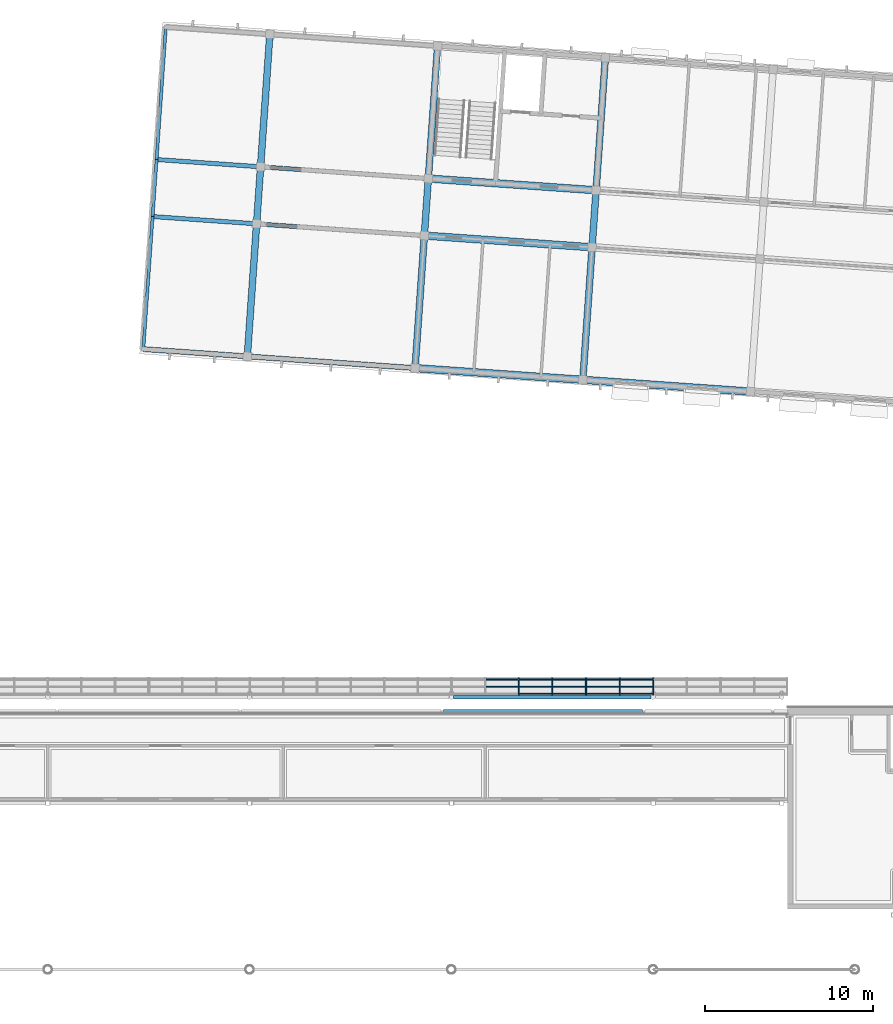
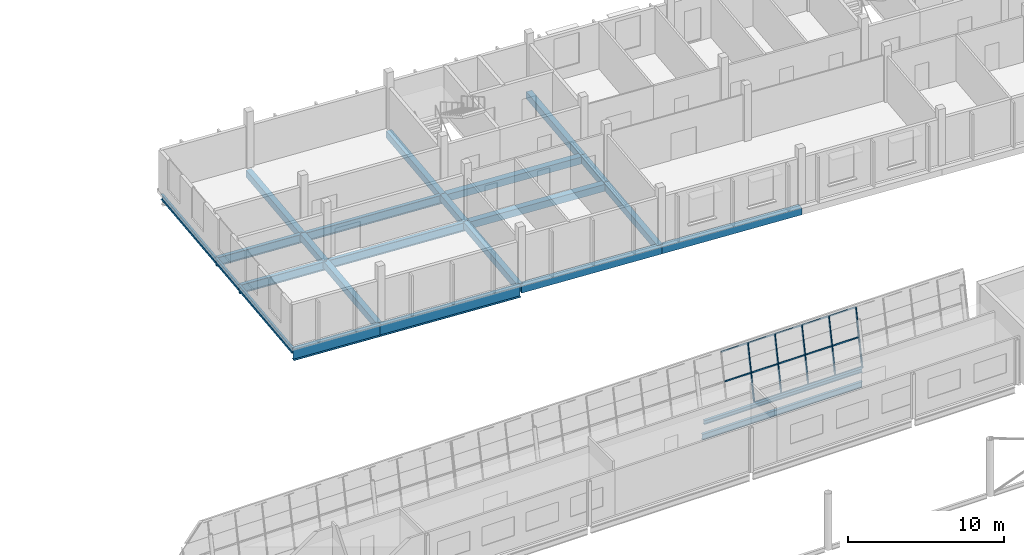
# One storey, part 29 of 95: 24 beams, 19 members, 1 element without a shape of its own.
"""IFC4 building model written with IfcOpenShell, lengths in metres."""

from ifc_helpers import new_model, si_unit, direction, frame, origin, origin_2d, place, context, subcontext, project, spatial, rectangle, i_section, extrude, material, layer, layer_set, material_profile, profile_set, type_object, element, aggregate, save


model = new_model("IFC4")

# Units and contexts
model_context = context("Model", 3, precision=1e-05, world=origin(), true_north=direction((0.0, 1.0)))
body_context = subcontext(model_context, "Body", "Model", "MODEL_VIEW")
ifc_project = project(units=[si_unit("LENGTHUNIT", "METRE"), si_unit("AREAUNIT", "SQUARE_METRE"), si_unit("VOLUMEUNIT", "CUBIC_METRE"), si_unit("PLANEANGLEUNIT", "RADIAN"), si_unit("MASSUNIT", "GRAM", prefix="KILO")], contexts=[model_context])

# Site, building, storey
site_placement = place(None, origin())
site = spatial("IfcSite", under=ifc_project, at=site_placement, CompositionType="ELEMENT")
building_placement = place(site_placement, origin())
building = spatial("IfcBuilding", under=site, at=building_placement, Name="Windward Yard Aquatics Centre", CompositionType="ELEMENT")
storey_placement = place(building_placement, frame((0.0, 0.0, 9.39990234375)))
storey = spatial("IfcBuildingStorey", under=building, at=storey_placement, Name="L02", CompositionType="ELEMENT", Elevation=9.39990234375)

# Curtain wall, members
ifc_material_1 = material(Name="Glass and aluminium curtain wall", Category="aluminium")
ifc_layer = layer(ifc_material_1, 0.179931640625)
ifc_layer_set = layer_set([ifc_layer], Name="H curtain wall tier 1 double glazed 8+16+8")
curtain_wall_type = type_object("IfcCurtainWallType", Name="H curtain wall tier 1 double glazed 8+16+8", PredefinedType="NOTDEFINED", material=ifc_layer_set)
curtain_wall_placement = place(storey_placement, origin())
curtain_wall = element("IfcCurtainWall", 1, at=curtain_wall_placement, inside=storey, type_object=curtain_wall_type, Name="Tier 1 glazing N L02", PredefinedType="NOTDEFINED")
ifc_material_2 = material(Name="Aluminium 6063-T6 anodised", Category="aluminium")
ifc_material_profile_1 = material_profile(ifc_material_2, rectangle(XDim=0.06494140625, YDim=0.179931640625, at=origin_2d()), Name="H CW mullion 65x180")
ifc_profile_set_1 = profile_set([ifc_material_profile_1], Name="Aluminium 6063-T6 anodised")
member_type_1 = type_object("IfcMemberType", Name="H CW mullion 65x180", PredefinedType="MULLION", material=ifc_profile_set_1)
member_1_placement = place(storey_placement, frame((124.002197265625, 96.803466796875, 0.0), z_axis=(0.0, 0.199322032497, 0.979934042352), x_axis=(-1.0, 0.0, 0.0)))
member_1 = element("IfcMember", 2, at=member_1_placement, type_object=member_type_1, Name="G1NB mullion 12", PredefinedType="MULLION", context=body_context, shape_type="SweptSolid", body=[
    extrude(rectangle(XDim=0.06494140625, YDim=0.179931640625, at=origin_2d()), origin(), (0.0, 0.0, 1.0), 4.31884765625),
])
member_2_placement = place(storey_placement, frame((126.001953125, 96.803466796875, 0.0), z_axis=(0.0, 0.199322032497, 0.979934042352), x_axis=(-1.0, 0.0, 0.0)))
member_2 = element("IfcMember", 3, at=member_2_placement, type_object=member_type_1, Name="G1NB mullion 13", PredefinedType="MULLION", context=body_context, shape_type="SweptSolid", body=[
    extrude(rectangle(XDim=0.06494140625, YDim=0.179931640625, at=origin_2d()), origin(), (0.0, 0.0, 1.0), 4.31884765625),
])
member_3_placement = place(storey_placement, frame((128.00146484375, 96.803466796875, 0.0), z_axis=(0.0, 0.199322032497, 0.979934042352), x_axis=(-1.0, 0.0, 0.0)))
member_3 = element("IfcMember", 4, at=member_3_placement, type_object=member_type_1, Name="G1NB mullion 14", PredefinedType="MULLION", context=body_context, shape_type="SweptSolid", body=[
    extrude(rectangle(XDim=0.06494140625, YDim=0.179931640625, at=origin_2d()), origin(), (0.0, 0.0, 1.0), 4.31884765625),
])
member_4_placement = place(storey_placement, frame((130.001220703125, 96.803466796875, 0.0), z_axis=(0.0, 0.199322032497, 0.979934042352), x_axis=(-1.0, 0.0, 0.0)))
member_4 = element("IfcMember", 5, at=member_4_placement, type_object=member_type_1, Name="G1NB mullion 15", PredefinedType="MULLION", context=body_context, shape_type="SweptSolid", body=[
    extrude(rectangle(XDim=0.06494140625, YDim=0.179931640625, at=origin_2d()), origin(), (0.0, 0.0, 1.0), 4.31884765625),
])
member_5_placement = place(storey_placement, frame((132.0009765625, 96.803466796875, 0.0), z_axis=(0.0, 0.199322032497, 0.979934042352), x_axis=(-1.0, 0.0, 0.0)))
member_5 = element("IfcMember", 6, at=member_5_placement, type_object=member_type_1, Name="G1NB mullion 16", PredefinedType="MULLION", context=body_context, shape_type="SweptSolid", body=[
    extrude(rectangle(XDim=0.06494140625, YDim=0.179931640625, at=origin_2d()), origin(), (0.0, 0.0, 1.0), 4.31884765625),
])
ifc_material_profile_2 = material_profile(ifc_material_2, rectangle(XDim=0.06494140625, YDim=0.10009765625, at=origin_2d()), Name="H CW transom 65x100")
ifc_profile_set_2 = profile_set([ifc_material_profile_2], Name="Aluminium 6063-T6 anodised")
member_type_2 = type_object("IfcMemberType", Name="H CW transom 65x100", PredefinedType="USERDEFINED", material=ifc_profile_set_2)
member_6_placement = place(storey_placement, frame((122.034912109375, 97.235595703125, 2.125), z_axis=(1.0, 0.0, 0.0), x_axis=(0.0, -0.9799247046, 0.19936793452)))
member_6 = element("IfcMember", 7, at=member_6_placement, type_object=member_type_2, Name="G1NB transom 11.2", ObjectType="TRANSOM", PredefinedType="USERDEFINED", context=body_context, shape_type="SweptSolid", body=[
    extrude(rectangle(XDim=0.06494140625, YDim=0.10009765625, at=origin_2d()), origin(), (0.0, 0.0, 1.0), 1.934814453125),
])
member_7_placement = place(storey_placement, frame((122.034912109375, 97.65673828125, 4.194580078125), z_axis=(1.0, 0.0, 0.0), x_axis=(0.0, -0.9799247046, 0.19936793452)))
member_7 = element("IfcMember", 8, at=member_7_placement, type_object=member_type_2, Name="G1NB transom 11.3", ObjectType="TRANSOM", PredefinedType="USERDEFINED", context=body_context, shape_type="SweptSolid", body=[
    extrude(rectangle(XDim=0.06494140625, YDim=0.10009765625, at=origin_2d()), origin(), (0.0, 0.0, 1.0), 1.934814453125),
])
member_8_placement = place(storey_placement, frame((124.03466796875, 96.813232421875, 0.049072265625), z_axis=(1.0, 0.0, 0.0), x_axis=(0.0, -0.9799247046, 0.19936793452)))
member_8 = element("IfcMember", 9, at=member_8_placement, type_object=member_type_2, Name="G1NB transom 12.1", ObjectType="TRANSOM", PredefinedType="USERDEFINED", context=body_context, shape_type="SweptSolid", body=[
    extrude(rectangle(XDim=0.06494140625, YDim=0.10009765625, at=origin_2d()), origin(), (0.0, 0.0, 1.0), 1.9345703125),
])
member_9_placement = place(storey_placement, frame((124.03466796875, 97.235595703125, 2.125), z_axis=(1.0, 0.0, 0.0), x_axis=(0.0, -0.9799247046, 0.19936793452)))
member_9 = element("IfcMember", 10, at=member_9_placement, type_object=member_type_2, Name="G1NB transom 12.2", ObjectType="TRANSOM", PredefinedType="USERDEFINED", context=body_context, shape_type="SweptSolid", body=[
    extrude(rectangle(XDim=0.06494140625, YDim=0.10009765625, at=origin_2d()), origin(), (0.0, 0.0, 1.0), 1.9345703125),
])
member_10_placement = place(storey_placement, frame((124.03466796875, 97.65673828125, 4.194580078125), z_axis=(1.0, 0.0, 0.0), x_axis=(0.0, -0.9799247046, 0.19936793452)))
member_10 = element("IfcMember", 11, at=member_10_placement, type_object=member_type_2, Name="G1NB transom 12.3", ObjectType="TRANSOM", PredefinedType="USERDEFINED", context=body_context, shape_type="SweptSolid", body=[
    extrude(rectangle(XDim=0.06494140625, YDim=0.10009765625, at=origin_2d()), origin(), (0.0, 0.0, 1.0), 1.9345703125),
])
member_11_placement = place(storey_placement, frame((126.034423828125, 96.813232421875, 0.049072265625), z_axis=(1.0, 0.0, 0.0), x_axis=(0.0, -0.9799247046, 0.19936793452)))
member_11 = element("IfcMember", 12, at=member_11_placement, type_object=member_type_2, Name="G1NB transom 13.1", ObjectType="TRANSOM", PredefinedType="USERDEFINED", context=body_context, shape_type="SweptSolid", body=[
    extrude(rectangle(XDim=0.06494140625, YDim=0.10009765625, at=origin_2d()), origin(), (0.0, 0.0, 1.0), 1.9345703125),
])
member_12_placement = place(storey_placement, frame((126.034423828125, 97.235595703125, 2.125), z_axis=(1.0, 0.0, 0.0), x_axis=(0.0, -0.9799247046, 0.19936793452)))
member_12 = element("IfcMember", 13, at=member_12_placement, type_object=member_type_2, Name="G1NB transom 13.2", ObjectType="TRANSOM", PredefinedType="USERDEFINED", context=body_context, shape_type="SweptSolid", body=[
    extrude(rectangle(XDim=0.06494140625, YDim=0.10009765625, at=origin_2d()), origin(), (0.0, 0.0, 1.0), 1.9345703125),
])
member_13_placement = place(storey_placement, frame((126.034423828125, 97.65673828125, 4.194580078125), z_axis=(1.0, 0.0, 0.0), x_axis=(0.0, -0.9799247046, 0.19936793452)))
member_13 = element("IfcMember", 14, at=member_13_placement, type_object=member_type_2, Name="G1NB transom 13.3", ObjectType="TRANSOM", PredefinedType="USERDEFINED", context=body_context, shape_type="SweptSolid", body=[
    extrude(rectangle(XDim=0.06494140625, YDim=0.10009765625, at=origin_2d()), origin(), (0.0, 0.0, 1.0), 1.9345703125),
])
member_14_placement = place(storey_placement, frame((128.0341796875, 96.813232421875, 0.049072265625), z_axis=(1.0, 0.0, 0.0), x_axis=(0.0, -0.9799247046, 0.19936793452)))
member_14 = element("IfcMember", 15, at=member_14_placement, type_object=member_type_2, Name="G1NB transom 14.1", ObjectType="TRANSOM", PredefinedType="USERDEFINED", context=body_context, shape_type="SweptSolid", body=[
    extrude(rectangle(XDim=0.06494140625, YDim=0.10009765625, at=origin_2d()), origin(), (0.0, 0.0, 1.0), 1.9345703125),
])
member_15_placement = place(storey_placement, frame((128.0341796875, 97.235595703125, 2.125), z_axis=(1.0, 0.0, 0.0), x_axis=(0.0, -0.9799247046, 0.19936793452)))
member_15 = element("IfcMember", 16, at=member_15_placement, type_object=member_type_2, Name="G1NB transom 14.2", ObjectType="TRANSOM", PredefinedType="USERDEFINED", context=body_context, shape_type="SweptSolid", body=[
    extrude(rectangle(XDim=0.06494140625, YDim=0.10009765625, at=origin_2d()), origin(), (0.0, 0.0, 1.0), 1.9345703125),
])
member_16_placement = place(storey_placement, frame((128.0341796875, 97.65673828125, 4.194580078125), z_axis=(1.0, 0.0, 0.0), x_axis=(0.0, -0.9799247046, 0.19936793452)))
member_16 = element("IfcMember", 17, at=member_16_placement, type_object=member_type_2, Name="G1NB transom 14.3", ObjectType="TRANSOM", PredefinedType="USERDEFINED", context=body_context, shape_type="SweptSolid", body=[
    extrude(rectangle(XDim=0.06494140625, YDim=0.10009765625, at=origin_2d()), origin(), (0.0, 0.0, 1.0), 1.9345703125),
])
member_17_placement = place(storey_placement, frame((130.033935546875, 96.813232421875, 0.049072265625), z_axis=(1.0, 0.0, 0.0), x_axis=(0.0, -0.9799247046, 0.19936793452)))
member_17 = element("IfcMember", 18, at=member_17_placement, type_object=member_type_2, Name="G1NB transom 15.1", ObjectType="TRANSOM", PredefinedType="USERDEFINED", context=body_context, shape_type="SweptSolid", body=[
    extrude(rectangle(XDim=0.06494140625, YDim=0.10009765625, at=origin_2d()), origin(), (0.0, 0.0, 1.0), 1.9345703125),
])
member_18_placement = place(storey_placement, frame((130.033935546875, 97.235595703125, 2.125), z_axis=(1.0, 0.0, 0.0), x_axis=(0.0, -0.9799247046, 0.19936793452)))
member_18 = element("IfcMember", 19, at=member_18_placement, type_object=member_type_2, Name="G1NB transom 15.2", ObjectType="TRANSOM", PredefinedType="USERDEFINED", context=body_context, shape_type="SweptSolid", body=[
    extrude(rectangle(XDim=0.06494140625, YDim=0.10009765625, at=origin_2d()), origin(), (0.0, 0.0, 1.0), 1.9345703125),
])
member_19_placement = place(storey_placement, frame((130.033935546875, 97.65673828125, 4.194580078125), z_axis=(1.0, 0.0, 0.0), x_axis=(0.0, -0.9799247046, 0.19936793452)))
member_19 = element("IfcMember", 20, at=member_19_placement, type_object=member_type_2, Name="G1NB transom 15.3", ObjectType="TRANSOM", PredefinedType="USERDEFINED", context=body_context, shape_type="SweptSolid", body=[
    extrude(rectangle(XDim=0.06494140625, YDim=0.10009765625, at=origin_2d()), origin(), (0.0, 0.0, 1.0), 1.9345703125),
])
aggregate(curtain_wall, [member_1, member_2, member_3, member_4, member_5, member_6, member_7, member_8, member_9, member_10, member_11, member_12, member_13, member_14, member_15, member_16, member_17, member_18, member_19])

# Beams
ifc_material_3 = material(Name="Steel ASTM A992 Gr 50", Category="steel")
ifc_material_profile_3 = material_profile(ifc_material_3, i_section(OverallWidth=0.19091796875, OverallDepth=0.45703125, WebThickness=0.009033203125, FlangeThickness=0.014404296875, at=origin_2d()), Name="W460X74")
ifc_profile_set_3 = profile_set([ifc_material_profile_3], Name="Steel ASTM A992 Gr 50")
beam_type_1 = type_object("IfcBeamType", Name="H gallery edge beam W460X74", PredefinedType="BEAM", material=ifc_profile_set_3)
beam_1_placement = place(storey_placement, frame((119.526123046875, 95.77490234375, -0.428466796875), z_axis=(1.0, 0.0, 0.0), x_axis=(0.0, 1.0, 0.0)))
element("IfcBeam", 21, at=beam_1_placement, inside=storey, type_object=beam_type_1, Name="H.GB.N.O7", PredefinedType="BEAM", context=body_context, shape_type="SweptSolid", body=[
    extrude(i_section(OverallWidth=0.19091796875, OverallDepth=0.45703125, WebThickness=0.009033203125, FlangeThickness=0.014404296875, at=origin_2d()), origin(), (0.0, 0.0, 1.0), 11.84765625),
])
ifc_material_profile_4 = material_profile(ifc_material_3, i_section(OverallWidth=0.202880859375, OverallDepth=0.302001953125, WebThickness=0.007568359375, FlangeThickness=0.01318359375, at=origin_2d()), Name="W310X60")
ifc_profile_set_4 = profile_set([ifc_material_profile_4], Name="Steel ASTM A992 Gr 50")
beam_type_2 = type_object("IfcBeamType", Name="H tier ring beam W310X60", PredefinedType="BEAM", material=ifc_profile_set_4)
beam_2_placement = place(storey_placement, frame((120.136474609375, 96.59521484375, 0.0), z_axis=(1.0, 0.0, 0.0), x_axis=(0.0, 1.0, 0.0)))
element("IfcBeam", 22, at=beam_2_placement, inside=storey, type_object=beam_type_2, Name="H.RG.N6.1", PredefinedType="BEAM", context=body_context, shape_type="SweptSolid", body=[
    extrude(i_section(OverallWidth=0.202880859375, OverallDepth=0.302001953125, WebThickness=0.007568359375, FlangeThickness=0.01318359375, at=origin_2d()), origin(), (0.0, 0.0, 1.0), 11.72705078125),
])
ifc_material_4 = material(Name="Concrete C40/50", Category="concrete")
ifc_material_profile_5 = material_profile(ifc_material_4, rectangle(XDim=0.39990234375, YDim=0.550048828125, at=origin_2d()), Name="RC 400x550")
ifc_profile_set_5 = profile_set([ifc_material_profile_5], Name="Concrete C40/50")
beam_type_3 = type_object("IfcBeamType", Name="W RC 400x550 beam Concrete C40/50", PredefinedType="BEAM", material=ifc_profile_set_5)
beam_3_placement = place(storey_placement, frame((107.86328125, 116.864990234375, -0.554931640625), z_axis=(0.0697491702, 0.997564560947, 0.0), x_axis=(-0.997564560947, 0.0697491702, 0.0)))
element("IfcBeam", 23, at=beam_3_placement, inside=storey, type_object=beam_type_3, Name="W.BV.L02.1.A", PredefinedType="BEAM", context=body_context, shape_type="SweptSolid", body=[
    extrude(rectangle(XDim=0.39990234375, YDim=0.550048828125, at=origin_2d()), origin(), (0.0, 0.0, 1.0), 7.900146484375),
])
beam_4_placement = place(storey_placement, frame((108.414306640625, 124.745849609375, -0.554931640625), z_axis=(0.069792686595, 0.99756151735, 0.0), x_axis=(-0.99756151735, 0.069792686595, 0.0)))
element("IfcBeam", 24, at=beam_4_placement, inside=storey, type_object=beam_type_3, Name="W.BV.L02.1.B", PredefinedType="BEAM", context=body_context, shape_type="SweptSolid", body=[
    extrude(rectangle(XDim=0.39990234375, YDim=0.550048828125, at=origin_2d()), origin(), (0.0, 0.0, 1.0), 3.400146484375),
])
beam_5_placement = place(storey_placement, frame((108.651611328125, 128.1376953125, -0.554931640625), z_axis=(0.069720566328, 0.997566560502, 0.0), x_axis=(-0.997566560502, 0.069720566328, 0.0)))
element("IfcBeam", 25, at=beam_5_placement, inside=storey, type_object=beam_type_3, Name="W.BV.L02.1.C", PredefinedType="BEAM", context=body_context, shape_type="SweptSolid", body=[
    extrude(rectangle(XDim=0.39990234375, YDim=0.550048828125, at=origin_2d()), origin(), (0.0, 0.0, 1.0), 7.89990234375),
])
beam_6_placement = place(storey_placement, frame((117.8388671875, 116.16748046875, -0.554931640625), z_axis=(0.0697491702, 0.997564560947, 0.0), x_axis=(-0.997564560947, 0.0697491702, 0.0)))
element("IfcBeam", 26, at=beam_6_placement, inside=storey, type_object=beam_type_3, Name="W.BV.L02.2.A", PredefinedType="BEAM", context=body_context, shape_type="SweptSolid", body=[
    extrude(rectangle(XDim=0.39990234375, YDim=0.550048828125, at=origin_2d()), origin(), (0.0, 0.0, 1.0), 7.900146484375),
])
beam_7_placement = place(storey_placement, frame((118.389892578125, 124.04833984375, -0.554931640625), z_axis=(0.069797686069, 0.997561167558, 0.0), x_axis=(-0.997561167558, 0.069797686069, 0.0)))
element("IfcBeam", 27, at=beam_7_placement, inside=storey, type_object=beam_type_3, Name="W.BV.L02.2.B", PredefinedType="BEAM", context=body_context, shape_type="SweptSolid", body=[
    extrude(rectangle(XDim=0.39990234375, YDim=0.550048828125, at=origin_2d()), origin(), (0.0, 0.0, 1.0), 3.39990234375),
])
beam_8_placement = place(storey_placement, frame((118.627197265625, 127.43994140625, -0.554931640625), z_axis=(0.0697491702, 0.997564560947, 0.0), x_axis=(-0.997564560947, 0.0697491702, 0.0)))
element("IfcBeam", 28, at=beam_8_placement, inside=storey, type_object=beam_type_3, Name="W.BV.L02.2.C", PredefinedType="BEAM", context=body_context, shape_type="SweptSolid", body=[
    extrude(rectangle(XDim=0.39990234375, YDim=0.550048828125, at=origin_2d()), origin(), (0.0, 0.0, 1.0), 7.900146484375),
])
beam_9_placement = place(storey_placement, frame((127.814453125, 115.469970703125, -0.554931640625), z_axis=(0.069751320509, 0.997564410596, 0.0), x_axis=(-0.997564410596, 0.069751320509, 0.0)))
element("IfcBeam", 29, at=beam_9_placement, inside=storey, type_object=beam_type_3, Name="W.BV.L02.3.A", PredefinedType="BEAM", context=body_context, shape_type="SweptSolid", body=[
    extrude(rectangle(XDim=0.39990234375, YDim=0.550048828125, at=origin_2d()), origin(), (0.0, 0.0, 1.0), 7.89990234375),
])
beam_10_placement = place(storey_placement, frame((128.365478515625, 123.3505859375, -0.554931640625), z_axis=(0.069792686595, 0.99756151735, 0.0), x_axis=(-0.99756151735, 0.069792686595, 0.0)))
element("IfcBeam", 30, at=beam_10_placement, inside=storey, type_object=beam_type_3, Name="W.BV.L02.3.B", PredefinedType="BEAM", context=body_context, shape_type="SweptSolid", body=[
    extrude(rectangle(XDim=0.39990234375, YDim=0.550048828125, at=origin_2d()), origin(), (0.0, 0.0, 1.0), 3.400146484375),
])
beam_11_placement = place(storey_placement, frame((128.602783203125, 126.742431640625, -0.554931640625), z_axis=(0.0697491702, 0.997564560947, 0.0), x_axis=(-0.997564560947, 0.0697491702, 0.0)))
element("IfcBeam", 31, at=beam_11_placement, inside=storey, type_object=beam_type_3, Name="W.BV.L02.3.C", PredefinedType="BEAM", context=body_context, shape_type="SweptSolid", body=[
    extrude(rectangle(XDim=0.39990234375, YDim=0.550048828125, at=origin_2d()), origin(), (0.0, 0.0, 1.0), 7.900146484375),
])
ifc_material_profile_6 = material_profile(ifc_material_4, rectangle(XDim=0.449951171875, YDim=0.550048828125, at=origin_2d()), Name="RC 450x550")
ifc_profile_set_6 = profile_set([ifc_material_profile_6], Name="Concrete C40/50")
beam_type_4 = type_object("IfcBeamType", Name="W RC 450x550 beam Concrete C40/50", PredefinedType="BEAM", material=ifc_profile_set_6)
for number, where, z_axis, x_axis, name in (
    (32, (117.8388671875, 116.16748046875, -0.554931640625), (0.997564406228, -0.069751382981, 0.0), (0.069751382981, 0.997564406228, 0.0), "W.BU.L02.1.2"),
    (33, (127.814453125, 115.469970703125, -0.554931640625), (0.997564406228, -0.069751382981, 0.0), (0.069751382981, 0.997564406228, 0.0), "W.BU.L02.1.3"),
    (34, (118.389892578125, 124.04833984375, -0.554931640625), (0.997562707158, -0.069775678342, 0.0), (0.069775678342, 0.997562707158, 0.0), "W.BU.L02.2.2"),
    (35, (118.627197265625, 127.43994140625, -0.554931640625), (0.997564406228, -0.069751382981, 0.0), (0.069751382981, 0.997564406228, 0.0), "W.BU.L02.3.2"),
):
    element("IfcBeam", number, at=place(storey_placement, frame(where, z_axis=z_axis, x_axis=x_axis)), inside=storey, type_object=beam_type_4, Name=name, PredefinedType="BEAM", context=body_context, shape_type="SweptSolid", body=[
        extrude(rectangle(XDim=0.449951171875, YDim=0.550048828125, at=origin_2d()), origin(), (0.0, 0.0, 1.0), 10.0),
    ])
ifc_material_5 = material(Name="Steel S355", Category="steel")
ifc_material_profile_7 = material_profile(ifc_material_5, i_section(OverallWidth=0.180908203125, OverallDepth=0.4169921875, WebThickness=0.010986328125, FlangeThickness=0.018310546875, at=origin_2d()), Name="W410x85")
ifc_profile_set_7 = profile_set([ifc_material_profile_7], Name="Steel S355")
beam_type_5 = type_object("IfcBeamType", Name="W W410x85 beam", PredefinedType="BEAM", material=ifc_profile_set_7)
beam_12_placement = place(storey_placement, frame((101.67822265625, 117.297607421875, -0.48828125), z_axis=(0.069782074492, 0.997562259751, 0.0), x_axis=(-0.997562259751, 0.069782074492, 0.0)))
element("IfcBeam", 36, at=beam_12_placement, inside=storey, type_object=beam_type_5, Name="W.BT.L02.A", PredefinedType="BEAM", context=body_context, shape_type="SweptSolid", body=[
    extrude(i_section(OverallWidth=0.180908203125, OverallDepth=0.4169921875, WebThickness=0.010986328125, FlangeThickness=0.018310546875, at=origin_2d()), origin(), (0.0, 0.0, 1.0), 7.89990234375),
])
beam_13_placement = place(storey_placement, frame((102.2294921875, 125.17822265625, -0.48828125), z_axis=(0.069721232637, 0.997566513933, 0.0), x_axis=(-0.997566513933, 0.069721232637, 0.0)))
element("IfcBeam", 37, at=beam_13_placement, inside=storey, type_object=beam_type_5, Name="W.BT.L02.B", PredefinedType="BEAM", context=body_context, shape_type="SweptSolid", body=[
    extrude(i_section(OverallWidth=0.180908203125, OverallDepth=0.4169921875, WebThickness=0.010986328125, FlangeThickness=0.018310546875, at=origin_2d()), origin(), (0.0, 0.0, 1.0), 3.400146484375),
])
beam_14_placement = place(storey_placement, frame((102.466552734375, 128.570068359375, -0.48828125), z_axis=(0.069751320509, 0.997564410596, 0.0), x_axis=(-0.997564410596, 0.069751320509, 0.0)))
element("IfcBeam", 38, at=beam_14_placement, inside=storey, type_object=beam_type_5, Name="W.BT.L02.C", PredefinedType="BEAM", context=body_context, shape_type="SweptSolid", body=[
    extrude(i_section(OverallWidth=0.180908203125, OverallDepth=0.4169921875, WebThickness=0.010986328125, FlangeThickness=0.018310546875, at=origin_2d()), origin(), (0.0, 0.0, 1.0), 7.89990234375),
])
ifc_material_profile_8 = material_profile(ifc_material_5, i_section(OverallWidth=0.25390625, OverallDepth=0.677978515625, WebThickness=0.01171875, FlangeThickness=0.016357421875, at=origin_2d()), Name="W690x125")
ifc_profile_set_8 = profile_set([ifc_material_profile_8], Name="Steel S355")
beam_type_6 = type_object("IfcBeamType", Name="W W690x125 beam", PredefinedType="BEAM", material=ifc_profile_set_8)
beam_15_placement = place(storey_placement, frame((102.2294921875, 125.17822265625, -0.618896484375), z_axis=(0.997565299424, -0.069738607559, 0.0), x_axis=(0.069738607559, 0.997565299424, 0.0)))
element("IfcBeam", 39, at=beam_15_placement, inside=storey, type_object=beam_type_6, Name="W.BC.L02.2", PredefinedType="BEAM", context=body_context, shape_type="SweptSolid", body=[
    extrude(i_section(OverallWidth=0.25390625, OverallDepth=0.677978515625, WebThickness=0.01171875, FlangeThickness=0.016357421875, at=origin_2d()), origin(), (0.0, 0.0, 1.0), 6.199951171875),
])
beam_16_placement = place(storey_placement, frame((108.414306640625, 124.745849609375, -0.618896484375), z_axis=(0.997564406228, -0.069751382981, 0.0), x_axis=(0.069751382981, 0.997564406228, 0.0)))
element("IfcBeam", 40, at=beam_16_placement, inside=storey, type_object=beam_type_6, Name="W.BB.L02.2", PredefinedType="BEAM", context=body_context, shape_type="SweptSolid", body=[
    extrude(i_section(OverallWidth=0.25390625, OverallDepth=0.677978515625, WebThickness=0.01171875, FlangeThickness=0.016357421875, at=origin_2d()), origin(), (0.0, 0.0, 1.0), 10.0),
])
beam_17_placement = place(storey_placement, frame((102.466552734375, 128.570068359375, -0.618896484375), z_axis=(0.997565490927, -0.069735868178, 0.0), x_axis=(0.069735868178, 0.997565490927, 0.0)))
element("IfcBeam", 41, at=beam_17_placement, inside=storey, type_object=beam_type_6, Name="W.BC.L02.3", PredefinedType="BEAM", context=body_context, shape_type="SweptSolid", body=[
    extrude(i_section(OverallWidth=0.25390625, OverallDepth=0.677978515625, WebThickness=0.01171875, FlangeThickness=0.016357421875, at=origin_2d()), origin(), (0.0, 0.0, 1.0), 6.2001953125),
])
beam_18_placement = place(storey_placement, frame((108.651611328125, 128.1376953125, -0.618896484375), z_axis=(0.997562707158, -0.069775678342, 0.0), x_axis=(0.069775678342, 0.997562707158, 0.0)))
element("IfcBeam", 42, at=beam_18_placement, inside=storey, type_object=beam_type_6, Name="W.BB.L02.3", PredefinedType="BEAM", context=body_context, shape_type="SweptSolid", body=[
    extrude(i_section(OverallWidth=0.25390625, OverallDepth=0.677978515625, WebThickness=0.01171875, FlangeThickness=0.016357421875, at=origin_2d()), origin(), (0.0, 0.0, 1.0), 10.0),
])
ifc_material_profile_9 = material_profile(ifc_material_5, i_section(OverallWidth=0.304931640625, OverallDepth=0.9140625, WebThickness=0.0166015625, FlangeThickness=0.02587890625, at=origin_2d()), Name="W920x238")
ifc_profile_set_9 = profile_set([ifc_material_profile_9], Name="Steel S355")
beam_type_7 = type_object("IfcBeamType", Name="W W920x238 beam", PredefinedType="BEAM", material=ifc_profile_set_9)
beam_19_placement = place(storey_placement, frame((101.67822265625, 117.297607421875, -0.73681640625), z_axis=(0.997562750893, -0.069775053074, 0.0), x_axis=(0.069775053074, 0.997562750893, 0.0)))
element("IfcBeam", 43, at=beam_19_placement, inside=storey, type_object=beam_type_7, Name="W.BC.L02.1", PredefinedType="BEAM", context=body_context, shape_type="SweptSolid", body=[
    extrude(i_section(OverallWidth=0.304931640625, OverallDepth=0.9140625, WebThickness=0.0166015625, FlangeThickness=0.02587890625, at=origin_2d()), origin(), (0.0, 0.0, 1.0), 6.2001953125),
])
beam_20_placement = place(storey_placement, frame((107.86328125, 116.864990234375, -0.73681640625), z_axis=(0.997564406228, -0.069751382981, 0.0), x_axis=(0.069751382981, 0.997564406228, 0.0)))
element("IfcBeam", 44, at=beam_20_placement, inside=storey, type_object=beam_type_7, Name="W.BB.L02.1", PredefinedType="BEAM", context=body_context, shape_type="SweptSolid", body=[
    extrude(i_section(OverallWidth=0.304931640625, OverallDepth=0.9140625, WebThickness=0.0166015625, FlangeThickness=0.02587890625, at=origin_2d()), origin(), (0.0, 0.0, 1.0), 10.0),
])

save(model, "model.ifc")
